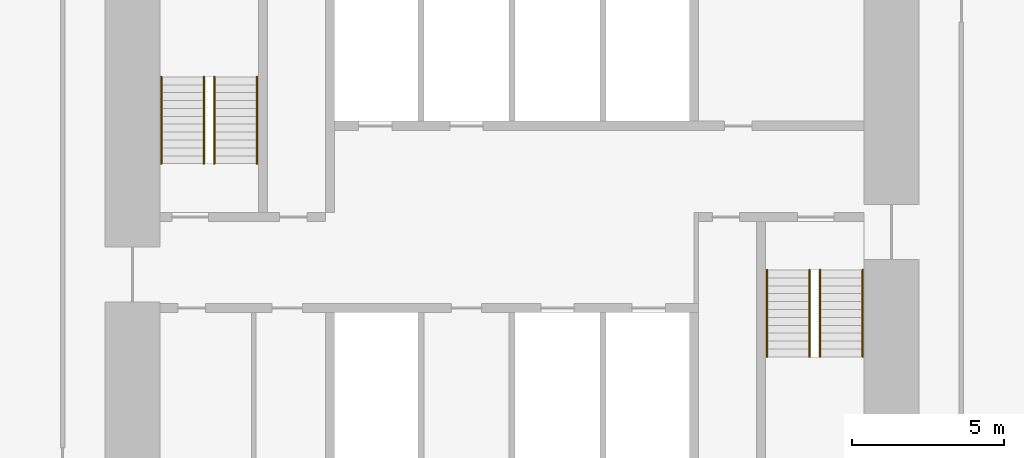
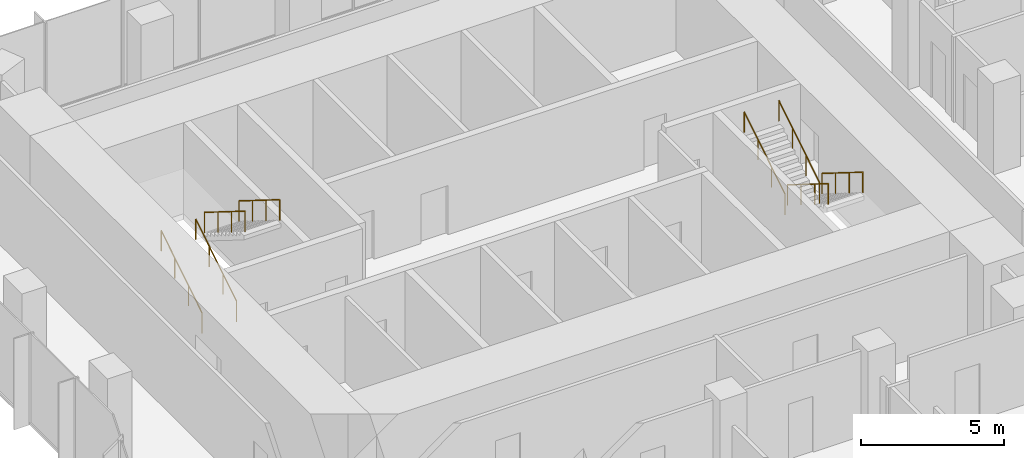
# One storey, part 11 of 11: 8 railings.
"""IFC4 building model written with IfcOpenShell, lengths in metres."""

from ifc_helpers import new_model, si_unit, direction, frame, origin, origin_2d, place, context, subcontext, project, spatial, circle, extrude, material, type_object, element, save


model = new_model("IFC4")

# Units and contexts
model_context = context("Model", 3, precision=1e-05, world=origin(), true_north=direction((0.0, 1.0)))
body_context = subcontext(model_context, "Body", "Model", "MODEL_VIEW")
ifc_project = project(units=[si_unit("LENGTHUNIT", "METRE"), si_unit("AREAUNIT", "SQUARE_METRE"), si_unit("VOLUMEUNIT", "CUBIC_METRE"), si_unit("PLANEANGLEUNIT", "RADIAN"), si_unit("MASSUNIT", "GRAM", prefix="KILO")], contexts=[model_context])

# Site, building, storey
site_placement = place(None, origin())
site = spatial("IfcSite", under=ifc_project, at=site_placement, CompositionType="ELEMENT")
building_placement = place(site_placement, origin())
building = spatial("IfcBuilding", under=site, at=building_placement, Name="Highveld Stack Headquarters", CompositionType="ELEMENT")
storey_placement = place(building_placement, frame((0.0, 0.0, 284.0)))
storey = spatial("IfcBuildingStorey", under=building, at=storey_placement, Name="L70", CompositionType="ELEMENT", Elevation=284.0)

# Railings
ifc_material = material(Name="Stainless steel handrail", Category="steel")
railing_type = type_object("IfcRailingType", Name="STAIR HANDRAIL HR1 900", PredefinedType="HANDRAIL", material=ifc_material)
for number, where, name in (
    (1, (-5.550048828125, 4.75, 0.16259765625), "Handrail S1 L70 flight 1"),
    (2, (-4.14990234375, 4.75, 0.16259765625), "Handrail S1 L70 flight 1"),
):
    element("IfcRailing", number, at=place(storey_placement, frame(where)), inside=storey, type_object=railing_type, Name=name, PredefinedType="HANDRAIL", context=body_context, shape_type="SweptSolid", body=[
        extrude(circle(Radius=0.02392578125, at=origin_2d()), frame((0.0, 0.0, 0.8759765625), z_axis=(0.0, 0.848026770018, 0.529953391661), x_axis=(-1.0, 0.0, 0.0)), (0.0, 0.0, 1.0), 3.37255859375),
        extrude(circle(Radius=0.02099609375, at=origin_2d()), origin(), (0.0, 0.0, 1.0), 0.851806640625),
        extrude(circle(Radius=0.02099609375, at=origin_2d()), frame((0.0, 0.953369140625, 0.595703125)), (0.0, 0.0, 1.0), 0.851806640625),
        extrude(circle(Radius=0.02099609375, at=origin_2d()), frame((0.0, 1.90673828125, 1.191650390625)), (0.0, 0.0, 1.0), 0.851806640625),
        extrude(circle(Radius=0.02099609375, at=origin_2d()), frame((0.0, 2.860107421875, 1.787353515625)), (0.0, 0.0, 1.0), 0.851806640625),
    ])
for number, where, name in (
    (3, (-3.800048828125, 7.610107421875, 2.112548828125), "Handrail S1 L70 flight 2"),
    (4, (-2.39990234375, 7.610107421875, 2.112548828125), "Handrail S1 L70 flight 2"),
    (5, (16.14990234375, 1.25, 0.16259765625), "Handrail S2 L70 flight 1"),
    (6, (17.550048828125, 1.25, 0.16259765625), "Handrail S2 L70 flight 1"),
):
    element("IfcRailing", number, at=place(storey_placement, frame(where)), inside=storey, type_object=railing_type, Name=name, PredefinedType="HANDRAIL", context=body_context, shape_type="SweptSolid", body=[
        extrude(circle(Radius=0.02392578125, at=origin_2d()), frame((0.0, 0.0, 0.8759765625), z_axis=(0.0, -0.848026770018, 0.529953391661), x_axis=(1.0, 0.0, 0.0)), (0.0, 0.0, 1.0), 3.37255859375),
        extrude(circle(Radius=0.02099609375, at=origin_2d()), origin(), (0.0, 0.0, 1.0), 0.851806640625),
        extrude(circle(Radius=0.02099609375, at=origin_2d()), frame((0.0, -0.953369140625, 0.595703125)), (0.0, 0.0, 1.0), 0.851806640625),
        extrude(circle(Radius=0.02099609375, at=origin_2d()), frame((0.0, -1.90673828125, 1.191650390625)), (0.0, 0.0, 1.0), 0.851806640625),
        extrude(circle(Radius=0.02099609375, at=origin_2d()), frame((0.0, -2.860107421875, 1.787353515625)), (0.0, 0.0, 1.0), 0.851806640625),
    ])
for number, where, name in (
    (7, (14.39990234375, -1.610107421875, 2.112548828125), "Handrail S2 L70 flight 2"),
    (8, (15.800048828125, -1.610107421875, 2.112548828125), "Handrail S2 L70 flight 2"),
):
    element("IfcRailing", number, at=place(storey_placement, frame(where)), inside=storey, type_object=railing_type, Name=name, PredefinedType="HANDRAIL", context=body_context, shape_type="SweptSolid", body=[
        extrude(circle(Radius=0.02392578125, at=origin_2d()), frame((0.0, 0.0, 0.8759765625), z_axis=(0.0, 0.848026770018, 0.529953391661), x_axis=(-1.0, 0.0, 0.0)), (0.0, 0.0, 1.0), 3.37255859375),
        extrude(circle(Radius=0.02099609375, at=origin_2d()), origin(), (0.0, 0.0, 1.0), 0.851806640625),
        extrude(circle(Radius=0.02099609375, at=origin_2d()), frame((0.0, 0.953369140625, 0.595703125)), (0.0, 0.0, 1.0), 0.851806640625),
        extrude(circle(Radius=0.02099609375, at=origin_2d()), frame((0.0, 1.90673828125, 1.191650390625)), (0.0, 0.0, 1.0), 0.851806640625),
        extrude(circle(Radius=0.02099609375, at=origin_2d()), frame((0.0, 2.860107421875, 1.787353515625)), (0.0, 0.0, 1.0), 0.851806640625),
    ])

save(model, "model.ifc")
